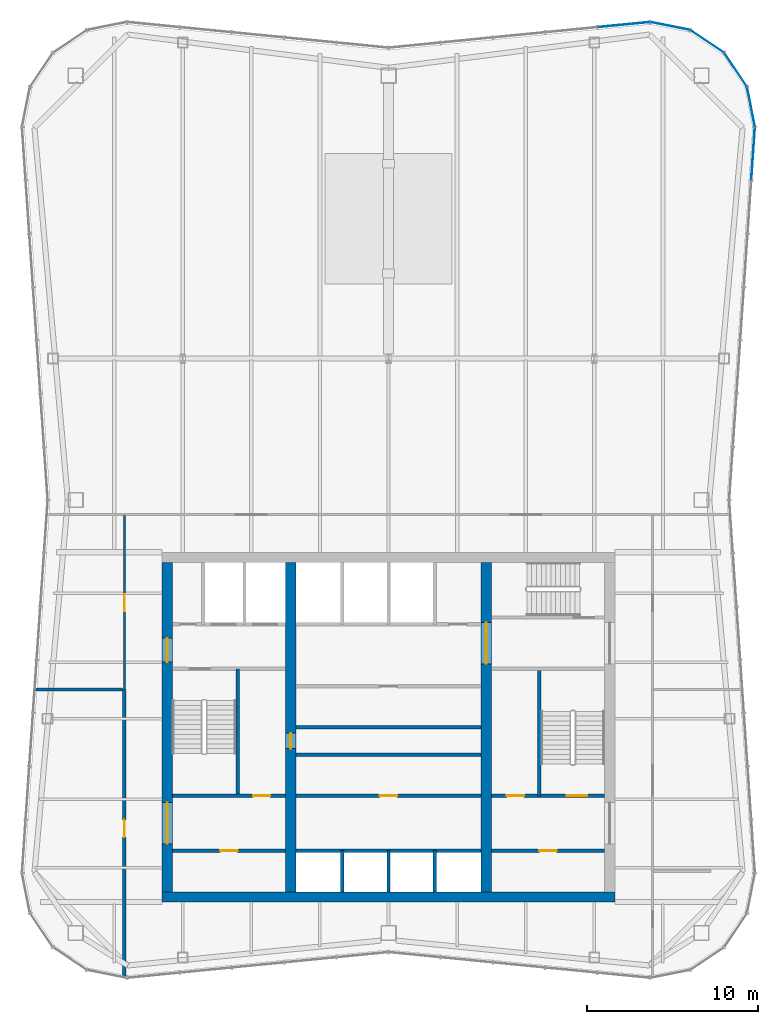
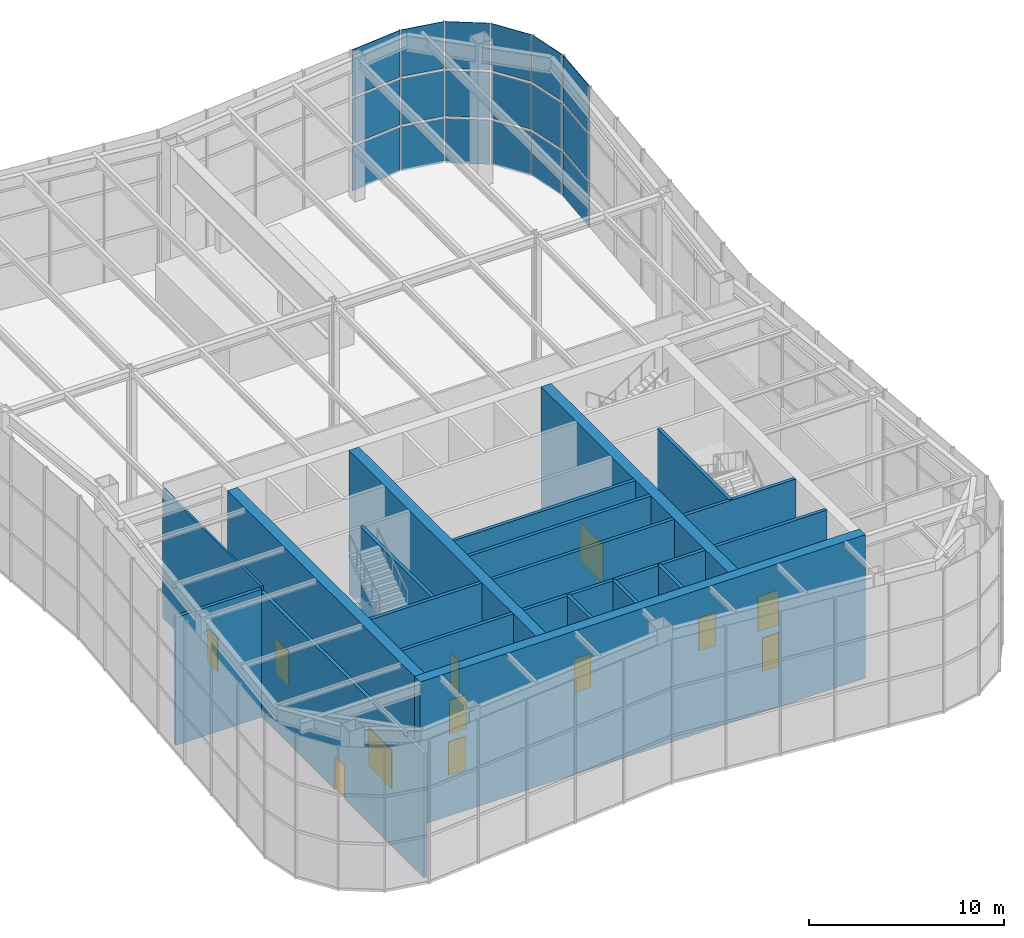
# One storey, part 11 of 16: 20 walls, 18 plates, 12 doors, 12 openings, 3 elements without a shape of their own.
"""IFC4 building model written with IfcOpenShell, lengths in metres."""

from ifc_helpers import new_model, si_unit, direction, frame, frame_2d, origin, origin_2d, place, context, subcontext, project, spatial, rectangle, extrude, material, layer, layer_set, type_object, element, fill, aggregate, save


model = new_model("IFC4")

# Units and contexts
model_context = context("Model", 3, precision=1e-05, world=origin(), true_north=direction((0.0, 1.0)))
body_context = subcontext(model_context, "Body", "Model", "MODEL_VIEW")
ifc_project = project(units=[si_unit("LENGTHUNIT", "METRE"), si_unit("AREAUNIT", "SQUARE_METRE"), si_unit("VOLUMEUNIT", "CUBIC_METRE"), si_unit("PLANEANGLEUNIT", "RADIAN"), si_unit("MASSUNIT", "GRAM", prefix="KILO")], contexts=[model_context])

# Site, building, storey
site_placement = place(None, origin())
site = spatial("IfcSite", under=ifc_project, at=site_placement, CompositionType="ELEMENT")
building_placement = place(site_placement, origin())
building = spatial("IfcBuilding", under=site, at=building_placement, Name="Verdant Reach Tower", CompositionType="ELEMENT")
storey_placement = place(building_placement, frame((0.0, 0.0, 340.5)))
storey = spatial("IfcBuildingStorey", under=building, at=storey_placement, Name="L78 Damper", CompositionType="ELEMENT", Elevation=340.5)

# Curtain wall, plates
ifc_material_1 = material(Name="Anodised aluminium", Category="aluminium")
curtain_wall_type = type_object("IfcCurtainWallType", Name="EN-CW SYSTEM CROWN DAMPER", PredefinedType="NOTDEFINED", material=ifc_material_1)
curtain_wall_1_placement = place(storey_placement, origin())
curtain_wall_1 = element("IfcCurtainWall", 1, at=curtain_wall_1_placement, inside=storey, type_object=curtain_wall_type, Name="Curtain wall east, L78", PredefinedType="NOTDEFINED")
ifc_material_2 = material(Name="Clear laminated glass", Category="glass")
ifc_layer_1 = layer(ifc_material_2, 0.035888671875)
ifc_layer_set_1 = layer_set([ifc_layer_1], Name="EN-PANEL CLEAR")
plate_type = type_object("IfcPlateType", Name="EN-PANEL CLEAR", PredefinedType="CURTAIN_PANEL", material=ifc_layer_set_1)
plate_1_placement = place(storey_placement, frame((21.261474609375, 61.446044921875, -0.199951171875), z_axis=(0.0, 0.0, 1.0), x_axis=(0.068469163133, 0.997653233193, 0.0)))
plate_1 = element("IfcPlate", 2, at=plate_1_placement, type_object=plate_type, Name="Glass panel east face part 2 7.1, L78", PredefinedType="CURTAIN_PANEL", context=body_context, shape_type="SweptSolid", body=[
    extrude(rectangle(XDim=3.05419921875, YDim=0.035888671875, at=origin_2d()), origin(), (0.0, 0.0, 1.0), 2.77490234375),
])
plate_2_placement = place(storey_placement, frame((21.261474609375, 61.446044921875, 2.724853515625), z_axis=(0.0, 0.0, 1.0), x_axis=(0.068469163133, 0.997653233193, 0.0)))
plate_2 = element("IfcPlate", 3, at=plate_2_placement, type_object=plate_type, Name="Glass panel east face part 2 7.2, L78", PredefinedType="CURTAIN_PANEL", context=body_context, shape_type="SweptSolid", body=[
    extrude(rectangle(XDim=3.05419921875, YDim=0.035888671875, at=origin_2d()), origin(), (0.0, 0.0, 1.0), 2.85009765625),
])
plate_3_placement = place(storey_placement, frame((21.261474609375, 61.446044921875, 5.72509765625), z_axis=(0.0, 0.0, 1.0), x_axis=(0.068469163133, 0.997653233193, 0.0)))
plate_3 = element("IfcPlate", 4, at=plate_3_placement, type_object=plate_type, Name="Glass panel east face part 2 7.3, L78", PredefinedType="CURTAIN_PANEL", context=body_context, shape_type="SweptSolid", body=[
    extrude(rectangle(XDim=3.05419921875, YDim=0.035888671875, at=origin_2d()), origin(), (0.0, 0.0, 1.0), 2.925048828125),
])
aggregate(curtain_wall_1, [plate_1, plate_2, plate_3])

curtain_wall_2_placement = place(storey_placement, origin())
curtain_wall_2 = element("IfcCurtainWall", 5, at=curtain_wall_2_placement, inside=storey, type_object=curtain_wall_type, Name="Curtain wall north-east corner, L78", PredefinedType="NOTDEFINED")
plate_4_placement = place(storey_placement, frame((21.135986328125, 64.174560546875, -0.199951171875), z_axis=(0.0, 0.0, 1.0), x_axis=(-0.195592962334, 0.980685165119, 0.0)))
plate_4 = element("IfcPlate", 6, at=plate_4_placement, type_object=plate_type, Name="Glass panel north-east corner 1.1, L78", PredefinedType="CURTAIN_PANEL", context=body_context, shape_type="SweptSolid", body=[
    extrude(rectangle(XDim=2.303955078125, YDim=0.035888671875, at=origin_2d()), origin(), (0.0, 0.0, 1.0), 2.77490234375),
])
plate_5_placement = place(storey_placement, frame((21.135986328125, 64.174560546875, 2.724853515625), z_axis=(0.0, 0.0, 1.0), x_axis=(-0.195592962334, 0.980685165119, 0.0)))
plate_5 = element("IfcPlate", 7, at=plate_5_placement, type_object=plate_type, Name="Glass panel north-east corner 1.2, L78", PredefinedType="CURTAIN_PANEL", context=body_context, shape_type="SweptSolid", body=[
    extrude(rectangle(XDim=2.303955078125, YDim=0.035888671875, at=origin_2d()), origin(), (0.0, 0.0, 1.0), 2.85009765625),
])
plate_6_placement = place(storey_placement, frame((21.135986328125, 64.174560546875, 5.72509765625), z_axis=(0.0, 0.0, 1.0), x_axis=(-0.195592962334, 0.980685165119, 0.0)))
plate_6 = element("IfcPlate", 8, at=plate_6_placement, type_object=plate_type, Name="Glass panel north-east corner 1.3, L78", PredefinedType="CURTAIN_PANEL", context=body_context, shape_type="SweptSolid", body=[
    extrude(rectangle(XDim=2.303955078125, YDim=0.035888671875, at=origin_2d()), origin(), (0.0, 0.0, 1.0), 2.925048828125),
])
plate_7_placement = place(storey_placement, frame((20.239990234375, 66.334228515625, -0.199951171875), z_axis=(0.0, 0.0, 1.0), x_axis=(-0.555596466265, 0.83145208321, 0.0)))
plate_7 = element("IfcPlate", 9, at=plate_7_placement, type_object=plate_type, Name="Glass panel north-east corner 2.1, L78", PredefinedType="CURTAIN_PANEL", context=body_context, shape_type="SweptSolid", body=[
    extrude(rectangle(XDim=2.3115234375, YDim=0.035888671875, at=origin_2d()), origin(), (0.0, 0.0, 1.0), 2.77490234375),
])
plate_8_placement = place(storey_placement, frame((20.239990234375, 66.334228515625, 2.724853515625), z_axis=(0.0, 0.0, 1.0), x_axis=(-0.555596466265, 0.83145208321, 0.0)))
plate_8 = element("IfcPlate", 10, at=plate_8_placement, type_object=plate_type, Name="Glass panel north-east corner 2.2, L78", PredefinedType="CURTAIN_PANEL", context=body_context, shape_type="SweptSolid", body=[
    extrude(rectangle(XDim=2.3115234375, YDim=0.035888671875, at=origin_2d()), origin(), (0.0, 0.0, 1.0), 2.85009765625),
])
plate_9_placement = place(storey_placement, frame((20.239990234375, 66.334228515625, 5.72509765625), z_axis=(0.0, 0.0, 1.0), x_axis=(-0.555596466265, 0.83145208321, 0.0)))
plate_9 = element("IfcPlate", 11, at=plate_9_placement, type_object=plate_type, Name="Glass panel north-east corner 2.3, L78", PredefinedType="CURTAIN_PANEL", context=body_context, shape_type="SweptSolid", body=[
    extrude(rectangle(XDim=2.3115234375, YDim=0.035888671875, at=origin_2d()), origin(), (0.0, 0.0, 1.0), 2.925048828125),
])
plate_10_placement = place(storey_placement, frame((18.584228515625, 67.989990234375, -0.199951171875), z_axis=(0.0, 0.0, 1.0), x_axis=(-0.83145208321, 0.555596466265, 0.0)))
plate_10 = element("IfcPlate", 12, at=plate_10_placement, type_object=plate_type, Name="Glass panel north-east corner 3.1, L78", PredefinedType="CURTAIN_PANEL", context=body_context, shape_type="SweptSolid", body=[
    extrude(rectangle(XDim=2.3115234375, YDim=0.035888671875, at=origin_2d()), origin(), (0.0, 0.0, 1.0), 2.77490234375),
])
plate_11_placement = place(storey_placement, frame((18.584228515625, 67.989990234375, 2.724853515625), z_axis=(0.0, 0.0, 1.0), x_axis=(-0.83145208321, 0.555596466265, 0.0)))
plate_11 = element("IfcPlate", 13, at=plate_11_placement, type_object=plate_type, Name="Glass panel north-east corner 3.2, L78", PredefinedType="CURTAIN_PANEL", context=body_context, shape_type="SweptSolid", body=[
    extrude(rectangle(XDim=2.3115234375, YDim=0.035888671875, at=origin_2d()), origin(), (0.0, 0.0, 1.0), 2.85009765625),
])
plate_12_placement = place(storey_placement, frame((18.584228515625, 67.989990234375, 5.72509765625), z_axis=(0.0, 0.0, 1.0), x_axis=(-0.83145208321, 0.555596466265, 0.0)))
plate_12 = element("IfcPlate", 14, at=plate_12_placement, type_object=plate_type, Name="Glass panel north-east corner 3.3, L78", PredefinedType="CURTAIN_PANEL", context=body_context, shape_type="SweptSolid", body=[
    extrude(rectangle(XDim=2.3115234375, YDim=0.035888671875, at=origin_2d()), origin(), (0.0, 0.0, 1.0), 2.925048828125),
])
plate_13_placement = place(storey_placement, frame((16.423828125, 68.885986328125, -0.199951171875), z_axis=(0.0, 0.0, 1.0), x_axis=(-0.980705120874, 0.195492879387, 0.0)))
plate_13 = element("IfcPlate", 15, at=plate_13_placement, type_object=plate_type, Name="Glass panel north-east corner 4.1, L78", PredefinedType="CURTAIN_PANEL", context=body_context, shape_type="SweptSolid", body=[
    extrude(rectangle(XDim=2.3056640625, YDim=0.035888671875, at=origin_2d()), origin(), (0.0, 0.0, 1.0), 2.77490234375),
])
plate_14_placement = place(storey_placement, frame((16.423828125, 68.885986328125, 2.724853515625), z_axis=(0.0, 0.0, 1.0), x_axis=(-0.980705120874, 0.195492879387, 0.0)))
plate_14 = element("IfcPlate", 16, at=plate_14_placement, type_object=plate_type, Name="Glass panel north-east corner 4.2, L78", PredefinedType="CURTAIN_PANEL", context=body_context, shape_type="SweptSolid", body=[
    extrude(rectangle(XDim=2.3056640625, YDim=0.035888671875, at=origin_2d()), origin(), (0.0, 0.0, 1.0), 2.85009765625),
])
plate_15_placement = place(storey_placement, frame((16.423828125, 68.885986328125, 5.72509765625), z_axis=(0.0, 0.0, 1.0), x_axis=(-0.980705120874, 0.195492879387, 0.0)))
plate_15 = element("IfcPlate", 17, at=plate_15_placement, type_object=plate_type, Name="Glass panel north-east corner 4.3, L78", PredefinedType="CURTAIN_PANEL", context=body_context, shape_type="SweptSolid", body=[
    extrude(rectangle(XDim=2.3056640625, YDim=0.035888671875, at=origin_2d()), origin(), (0.0, 0.0, 1.0), 2.925048828125),
])
aggregate(curtain_wall_2, [plate_4, plate_5, plate_6, plate_7, plate_8, plate_9, plate_10, plate_11, plate_12, plate_13, plate_14, plate_15])

curtain_wall_3_placement = place(storey_placement, origin())
curtain_wall_3 = element("IfcCurtainWall", 18, at=curtain_wall_3_placement, inside=storey, type_object=curtain_wall_type, Name="Curtain wall north, L78", PredefinedType="NOTDEFINED")
plate_16_placement = place(storey_placement, frame((13.72216796875, 68.96875, -0.199951171875), z_axis=(0.0, 0.0, 1.0), x_axis=(-0.995238191716, -0.097472774402, 0.0)))
plate_16 = element("IfcPlate", 19, at=plate_16_placement, type_object=plate_type, Name="Glass panel north face part 1 1.1, L78", PredefinedType="CURTAIN_PANEL", context=body_context, shape_type="SweptSolid", body=[
    extrude(rectangle(XDim=3.006103515625, YDim=0.035888671875, at=origin_2d()), origin(), (0.0, 0.0, 1.0), 2.77490234375),
])
plate_17_placement = place(storey_placement, frame((13.72216796875, 68.96875, 2.724853515625), z_axis=(0.0, 0.0, 1.0), x_axis=(-0.995238191716, -0.097472774402, 0.0)))
plate_17 = element("IfcPlate", 20, at=plate_17_placement, type_object=plate_type, Name="Glass panel north face part 1 1.2, L78", PredefinedType="CURTAIN_PANEL", context=body_context, shape_type="SweptSolid", body=[
    extrude(rectangle(XDim=3.006103515625, YDim=0.035888671875, at=origin_2d()), origin(), (0.0, 0.0, 1.0), 2.85009765625),
])
plate_18_placement = place(storey_placement, frame((13.72216796875, 68.96875, 5.72509765625), z_axis=(0.0, 0.0, 1.0), x_axis=(-0.995238191716, -0.097472774402, 0.0)))
plate_18 = element("IfcPlate", 21, at=plate_18_placement, type_object=plate_type, Name="Glass panel north face part 1 1.3, L78", PredefinedType="CURTAIN_PANEL", context=body_context, shape_type="SweptSolid", body=[
    extrude(rectangle(XDim=3.006103515625, YDim=0.035888671875, at=origin_2d()), origin(), (0.0, 0.0, 1.0), 2.925048828125),
])
aggregate(curtain_wall_3, [plate_16, plate_17, plate_18])

# Wall, opening, door
ifc_material_3 = material(Name="Gypsum board on steel studs", Category="steel")
ifc_layer_2 = layer(ifc_material_3, 0.199951171875)
ifc_layer_set_2 = layer_set([ifc_layer_2], Name="CO-WALL-ROOM")
wall_type_1 = type_object("IfcWallType", Name="CO-WALL-ROOM", PredefinedType="PARTITIONING", material=ifc_layer_set_2)
wall_1_placement = place(storey_placement, frame((-12.60009765625, 20.800048828125, 0.0), z_axis=(0.0, 0.0, 1.0), x_axis=(1.0, 0.0, 0.0)))
wall_1 = element("IfcWall", 22, at=wall_1_placement, inside=storey, type_object=wall_type_1, Name="Core partition, L78 Damper", PredefinedType="PARTITIONING", context=body_context, shape_type="SweptSolid", body=[
    extrude(rectangle(XDim=6.60009765625, YDim=0.199951171875, at=frame_2d((3.300048828125, 0.0))), origin(), (0.0, 0.0, 1.0), 8.85009765625),
])
opening_1_placement = place(wall_1_placement, frame((2.800048828125, 0.0, 0.0)))
opening_1 = element("IfcOpeningElement", 23, at=opening_1_placement, cuts=wall_1, Name="Opening CD", PredefinedType="OPENING", context=body_context, shape_type="SweptSolid", body=[
    extrude(rectangle(XDim=1.0, YDim=2.10009765625, at=frame_2d((0.5, 1.050048828125))), frame((0.0, 0.10986328125, 0.0), z_axis=(0.0, -1.0, 0.0), x_axis=(1.0, 0.0, 0.0)), (0.0, 0.0, 1.0), 0.219970703125),
])
ifc_material_4 = material(Name="Timber", Category="wood")
door_type_1 = type_object("IfcDoorType", Name="CO-DOOR-ROOM", OperationType="NOTDEFINED", PredefinedType="DOOR", material=ifc_material_4)
door_1_placement = place(opening_1_placement, origin())
door_1 = element("IfcDoor", 24, at=door_1_placement, inside=storey, type_object=door_type_1, Name="Core room door, L78 Damper", OperationType="SINGLE_SWING_RIGHT", OverallHeight=2.10009765625, OverallWidth=1.0, PredefinedType="DOOR", context=body_context, shape_type="SweptSolid", body=[
    extrude(rectangle(XDim=1.0, YDim=2.10009765625, at=frame_2d((0.5, 1.050048828125))), frame((0.0, 0.02490234375, 0.0), z_axis=(0.0, -1.0, 0.0), x_axis=(1.0, 0.0, 0.0)), (0.0, 0.0, 1.0), 0.050048828125),
])
fill(opening_1, door_1)

wall_2_placement = place(storey_placement, frame((6.0, 20.800048828125, 0.0), z_axis=(0.0, 0.0, 1.0), x_axis=(1.0, 0.0, 0.0)))
wall_2 = element("IfcWall", 25, at=wall_2_placement, inside=storey, type_object=wall_type_1, Name="Core partition, L78 Damper", PredefinedType="PARTITIONING", context=body_context, shape_type="SweptSolid", body=[
    extrude(rectangle(XDim=6.60009765625, YDim=0.199951171875, at=frame_2d((3.300048828125, 0.0))), origin(), (0.0, 0.0, 1.0), 8.85009765625),
])
opening_2_placement = place(wall_2_placement, frame((2.800048828125, 0.0, 0.0)))
opening_2 = element("IfcOpeningElement", 26, at=opening_2_placement, cuts=wall_2, Name="Opening CD", PredefinedType="OPENING", context=body_context, shape_type="SweptSolid", body=[
    extrude(rectangle(XDim=1.0, YDim=2.10009765625, at=frame_2d((0.5, 1.050048828125))), frame((0.0, 0.10986328125, 0.0), z_axis=(0.0, -1.0, 0.0), x_axis=(1.0, 0.0, 0.0)), (0.0, 0.0, 1.0), 0.219970703125),
])
door_2_placement = place(opening_2_placement, origin())
door_2 = element("IfcDoor", 27, at=door_2_placement, inside=storey, type_object=door_type_1, Name="Core room door, L78 Damper", OperationType="SINGLE_SWING_LEFT", OverallHeight=2.10009765625, OverallWidth=1.0, PredefinedType="DOOR", context=body_context, shape_type="SweptSolid", body=[
    extrude(rectangle(XDim=1.0, YDim=2.10009765625, at=frame_2d((0.5, 1.050048828125))), frame((0.0, 0.02490234375, 0.0), z_axis=(0.0, -1.0, 0.0), x_axis=(1.0, 0.0, 0.0)), (0.0, 0.0, 1.0), 0.050048828125),
])
fill(opening_2, door_2)

wall_3_placement = place(storey_placement, frame((-5.39990234375, 24.0, 0.0), z_axis=(0.0, 0.0, 1.0), x_axis=(1.0, 0.0, 0.0)))
wall_3 = element("IfcWall", 28, at=wall_3_placement, inside=storey, type_object=wall_type_1, Name="Core partition, L78 Damper", PredefinedType="PARTITIONING", context=body_context, shape_type="SweptSolid", body=[
    extrude(rectangle(XDim=10.7998046875, YDim=0.199951171875, at=frame_2d((5.39990234375, 0.0))), origin(), (0.0, 0.0, 1.0), 8.85009765625),
])
opening_3_placement = place(wall_3_placement, frame((4.89990234375, 0.0, 0.0)))
opening_3 = element("IfcOpeningElement", 29, at=opening_3_placement, cuts=wall_3, Name="Opening CD", PredefinedType="OPENING", context=body_context, shape_type="SweptSolid", body=[
    extrude(rectangle(XDim=1.0, YDim=2.10009765625, at=frame_2d((0.5, 1.050048828125))), frame((0.0, 0.10986328125, 0.0), z_axis=(0.0, -1.0, 0.0), x_axis=(1.0, 0.0, 0.0)), (0.0, 0.0, 1.0), 0.219970703125),
])
door_3_placement = place(opening_3_placement, origin())
door_3 = element("IfcDoor", 30, at=door_3_placement, inside=storey, type_object=door_type_1, Name="Core room door, L78 Damper", OperationType="SINGLE_SWING_LEFT", OverallHeight=2.10009765625, OverallWidth=1.0, PredefinedType="DOOR", context=body_context, shape_type="SweptSolid", body=[
    extrude(rectangle(XDim=1.0, YDim=2.10009765625, at=frame_2d((0.5, 1.050048828125))), frame((0.0, 0.02490234375, 0.0), z_axis=(0.0, -1.0, 0.0), x_axis=(1.0, 0.0, 0.0)), (0.0, 0.0, 1.0), 0.050048828125),
])
fill(opening_3, door_3)

# Walls
for number, where, z_axis, x_axis, name in (
    (31, (-5.39990234375, 26.39990234375, 0.0), (0.0, 0.0, 1.0), (1.0, 0.0, 0.0), "Core partition, L78 Damper"),
    (32, (-5.39990234375, 28.0, 0.0), (0.0, 0.0, 1.0), (1.0, 0.0, 0.0), "Core partition, L78 Damper"),
):
    element("IfcWall", number, at=place(storey_placement, frame(where, z_axis=z_axis, x_axis=x_axis)), inside=storey, type_object=wall_type_1, Name=name, PredefinedType="PARTITIONING", context=body_context, shape_type="SweptSolid", body=[
        extrude(rectangle(XDim=10.7998046875, YDim=0.199951171875, at=frame_2d((5.39990234375, 0.0))), origin(), (0.0, 0.0, 1.0), 8.85009765625),
    ])
ifc_material_5 = material(Name="Concrete C40/50", Category="concrete")
ifc_layer_3 = layer(ifc_material_5, 0.199951171875)
ifc_layer_set_3 = layer_set([ifc_layer_3], Name="CO-WALL-SHAFT")
wall_type_2 = type_object("IfcWallType", Name="CO-WALL-SHAFT", PredefinedType="PARTITIONING", material=ifc_layer_set_3)
wall_4_placement = place(storey_placement, frame((-5.39990234375, 20.800048828125, 0.0), z_axis=(0.0, 0.0, 1.0), x_axis=(1.0, 0.0, 0.0)))
element("IfcWall", 33, at=wall_4_placement, inside=storey, type_object=wall_type_2, Name="Lift shaft wall, L78 Damper", PredefinedType="PARTITIONING", context=body_context, shape_type="SweptSolid", body=[
    extrude(rectangle(XDim=10.7998046875, YDim=0.199951171875, at=frame_2d((5.39990234375, 0.0))), origin(), (0.0, 0.0, 1.0), 8.85009765625),
])
for number, where, z_axis, x_axis, name in (
    (34, (-2.699951171875, 18.39990234375, 0.0), (0.0, 0.0, 1.0), (0.0, 1.0, 0.0), "Lift shaft wall, L78 Damper"),
    (35, (0.0, 18.39990234375, 0.0), (0.0, 0.0, 1.0), (0.0, 1.0, 0.0), "Lift shaft wall, L78 Damper"),
    (36, (2.699951171875, 18.39990234375, 0.0), (0.0, 0.0, 1.0), (0.0, 1.0, 0.0), "Lift shaft wall, L78 Damper"),
):
    element("IfcWall", number, at=place(storey_placement, frame(where, z_axis=z_axis, x_axis=x_axis)), inside=storey, type_object=wall_type_2, Name=name, PredefinedType="PARTITIONING", context=body_context, shape_type="SweptSolid", body=[
        extrude(rectangle(XDim=2.400146484375, YDim=0.199951171875, at=frame_2d((1.2001953125, 0.0))), origin(), (0.0, 0.0, 1.0), 8.85009765625),
    ])

# Wall, opening, door
ifc_layer_4 = layer(ifc_material_5, 0.199951171875)
ifc_layer_set_4 = layer_set([ifc_layer_4], Name="CO-WALL-STAIR")
wall_type_3 = type_object("IfcWallType", Name="CO-WALL-STAIR", PredefinedType="PARTITIONING", material=ifc_layer_set_4)
wall_5_placement = place(storey_placement, frame((-12.60009765625, 24.0, 0.0), z_axis=(0.0, 0.0, 1.0), x_axis=(1.0, 0.0, 0.0)))
wall_5 = element("IfcWall", 37, at=wall_5_placement, inside=storey, type_object=wall_type_3, Name="Stair enclosure wall, L78 Damper", PredefinedType="PARTITIONING", context=body_context, shape_type="SweptSolid", body=[
    extrude(rectangle(XDim=6.60009765625, YDim=0.199951171875, at=frame_2d((3.300048828125, 0.0))), origin(), (0.0, 0.0, 1.0), 8.85009765625),
])
opening_4_placement = place(wall_5_placement, frame((4.699951171875, 0.0, 0.0)))
opening_4 = element("IfcOpeningElement", 38, at=opening_4_placement, cuts=wall_5, Name="Opening CD", PredefinedType="OPENING", context=body_context, shape_type="SweptSolid", body=[
    extrude(rectangle(XDim=1.0, YDim=2.10009765625, at=frame_2d((0.5, 1.050048828125))), frame((0.0, 0.10986328125, 0.0), z_axis=(0.0, -1.0, 0.0), x_axis=(1.0, 0.0, 0.0)), (0.0, 0.0, 1.0), 0.219970703125),
])
door_4_placement = place(opening_4_placement, origin())
door_4 = element("IfcDoor", 39, at=door_4_placement, inside=storey, type_object=door_type_1, Name="Core room door, L78 Damper", OperationType="SINGLE_SWING_LEFT", OverallHeight=2.10009765625, OverallWidth=1.0, PredefinedType="DOOR", context=body_context, shape_type="SweptSolid", body=[
    extrude(rectangle(XDim=1.0, YDim=2.10009765625, at=frame_2d((0.5, 1.050048828125))), frame((0.0, 0.02490234375, 0.0), z_axis=(0.0, -1.0, 0.0), x_axis=(1.0, 0.0, 0.0)), (0.0, 0.0, 1.0), 0.050048828125),
])
fill(opening_4, door_4)

# Wall, openings, doors
wall_6_placement = place(storey_placement, frame((6.0, 24.0, 0.0), z_axis=(0.0, 0.0, 1.0), x_axis=(1.0, 0.0, 0.0)))
wall_6 = element("IfcWall", 40, at=wall_6_placement, inside=storey, type_object=wall_type_3, Name="Stair enclosure wall, L78 Damper", PredefinedType="PARTITIONING", context=body_context, shape_type="SweptSolid", body=[
    extrude(rectangle(XDim=6.60009765625, YDim=0.199951171875, at=frame_2d((3.300048828125, 0.0))), origin(), (0.0, 0.0, 1.0), 8.85009765625),
])
opening_5_placement = place(wall_6_placement, frame((0.89990234375, 0.0, 0.0)))
opening_5 = element("IfcOpeningElement", 41, at=opening_5_placement, cuts=wall_6, Name="Opening CD", PredefinedType="OPENING", context=body_context, shape_type="SweptSolid", body=[
    extrude(rectangle(XDim=1.0, YDim=2.10009765625, at=frame_2d((0.5, 1.050048828125))), frame((0.0, 0.10986328125, 0.0), z_axis=(0.0, -1.0, 0.0), x_axis=(1.0, 0.0, 0.0)), (0.0, 0.0, 1.0), 0.219970703125),
])
opening_6_placement = place(wall_6_placement, frame((4.39990234375, 0.0, 0.0)))
opening_6 = element("IfcOpeningElement", 42, at=opening_6_placement, cuts=wall_6, Name="Opening SD", PredefinedType="OPENING", context=body_context, shape_type="SweptSolid", body=[
    extrude(rectangle(XDim=1.199951171875, YDim=2.199951171875, at=frame_2d((0.60009765625, 1.10009765625))), frame((0.0, 0.10986328125, 0.0), z_axis=(0.0, -1.0, 0.0), x_axis=(1.0, 0.0, 0.0)), (0.0, 0.0, 1.0), 0.219970703125),
])
door_5_placement = place(opening_5_placement, origin())
door_5 = element("IfcDoor", 43, at=door_5_placement, inside=storey, type_object=door_type_1, Name="Core room door, L78 Damper", OperationType="SINGLE_SWING_RIGHT", OverallHeight=2.10009765625, OverallWidth=1.0, PredefinedType="DOOR", context=body_context, shape_type="SweptSolid", body=[
    extrude(rectangle(XDim=1.0, YDim=2.10009765625, at=frame_2d((0.5, 1.050048828125))), frame((0.0, 0.02490234375, 0.0), z_axis=(0.0, -1.0, 0.0), x_axis=(1.0, 0.0, 0.0)), (0.0, 0.0, 1.0), 0.050048828125),
])
fill(opening_5, door_5)
ifc_material_6 = material(Name="Steel", Category="steel")
door_type_2 = type_object("IfcDoorType", Name="CO-DOOR-STAIR", OperationType="NOTDEFINED", PredefinedType="DOOR", material=ifc_material_6)
door_6_placement = place(opening_6_placement, origin())
door_6 = element("IfcDoor", 44, at=door_6_placement, inside=storey, type_object=door_type_2, Name="Stair door, L78 Damper", OperationType="SINGLE_SWING_RIGHT", OverallHeight=2.199951171875, OverallWidth=1.199951171875, PredefinedType="DOOR", context=body_context, shape_type="SweptSolid", body=[
    extrude(rectangle(XDim=1.199951171875, YDim=2.199951171875, at=frame_2d((0.60009765625, 1.10009765625))), frame((0.0, 0.02490234375, 0.0), z_axis=(0.0, -1.0, 0.0), x_axis=(1.0, 0.0, 0.0)), (0.0, 0.0, 1.0), 0.050048828125),
])
fill(opening_6, door_6)

# Walls
for number, where, z_axis, x_axis, name in (
    (45, (-8.800048828125, 24.0, 0.0), (0.0, 0.0, 1.0), (0.0, 1.0, 0.0), "Stair enclosure wall, L78 Damper"),
    (46, (8.800048828125, 24.0, 0.0), (0.0, 0.0, 1.0), (0.0, 1.0, 0.0), "Stair enclosure wall, L78 Damper"),
):
    element("IfcWall", number, at=place(storey_placement, frame(where, z_axis=z_axis, x_axis=x_axis)), inside=storey, type_object=wall_type_3, Name=name, PredefinedType="PARTITIONING", context=body_context, shape_type="SweptSolid", body=[
        extrude(rectangle(XDim=7.39990234375, YDim=0.199951171875, at=frame_2d((3.699951171875, 0.0))), origin(), (0.0, 0.0, 1.0), 8.85009765625),
    ])
ifc_material_7 = material(Name="Concrete C70/85", Category="concrete")
ifc_layer_5 = layer(ifc_material_7, 0.60009765625)
ifc_layer_set_5 = layer_set([ifc_layer_5], Name="ST-CORE-WALL-600")
wall_type_4 = type_object("IfcWallType", Name="ST-CORE-WALL-600", PredefinedType="SHEAR", material=ifc_layer_set_5)
wall_7_placement = place(storey_placement, frame((-13.199951171875, 18.10009765625, -0.14990234375), z_axis=(0.0, 0.0, 1.0), x_axis=(1.0, 0.0, 0.0)))
element("IfcWall", 47, at=wall_7_placement, inside=storey, type_object=wall_type_4, Name="Core wall S, L78 Damper", PredefinedType="SHEAR", context=body_context, shape_type="SweptSolid", body=[
    extrude(rectangle(XDim=26.39990234375, YDim=0.60009765625, at=frame_2d((13.199951171875, 0.0))), origin(), (0.0, 0.0, 1.0), 9.0),
])

# Wall, openings, doors
wall_8_placement = place(storey_placement, frame((-12.89990234375, 18.39990234375, -0.14990234375), z_axis=(0.0, 0.0, 1.0), x_axis=(0.0, 1.0, 0.0)))
wall_8 = element("IfcWall", 48, at=wall_8_placement, inside=storey, type_object=wall_type_4, Name="Core wall W, L78 Damper", PredefinedType="SHEAR", context=body_context, shape_type="SweptSolid", body=[
    extrude(rectangle(XDim=19.2001953125, YDim=0.60009765625, at=frame_2d((9.60009765625, 0.0))), origin(), (0.0, 0.0, 1.0), 9.0),
])
opening_7_placement = place(wall_8_placement, frame((2.800048828125, 0.0, 0.14990234375)))
opening_7 = element("IfcOpeningElement", 49, at=opening_7_placement, cuts=wall_8, Name="Opening LB", PredefinedType="OPENING", context=body_context, shape_type="SweptSolid", body=[
    extrude(rectangle(XDim=2.39990234375, YDim=2.39990234375, at=frame_2d((1.199951171875, 1.199951171875))), frame((0.0, 0.31005859375, 0.0), z_axis=(0.0, -1.0, 0.0), x_axis=(1.0, 0.0, 0.0)), (0.0, 0.0, 1.0), 0.6201171875),
])
opening_8_placement = place(wall_8_placement, frame((13.39990234375, 0.0, 0.14990234375)))
opening_8 = element("IfcOpeningElement", 50, at=opening_8_placement, cuts=wall_8, Name="Opening FL", PredefinedType="OPENING", context=body_context, shape_type="SweptSolid", body=[
    extrude(rectangle(XDim=1.39990234375, YDim=2.199951171875, at=frame_2d((0.699951171875, 1.10009765625))), frame((0.0, 0.31005859375, 0.0), z_axis=(0.0, -1.0, 0.0), x_axis=(1.0, 0.0, 0.0)), (0.0, 0.0, 1.0), 0.6201171875),
])
door_type_3 = type_object("IfcDoorType", Name="CO-DOOR-FFL", OperationType="NOTDEFINED", PredefinedType="DOOR", material=ifc_material_6)
door_7_placement = place(opening_8_placement, origin())
door_7 = element("IfcDoor", 51, at=door_7_placement, inside=storey, type_object=door_type_3, Name="Core entrance door, L78 Damper", OperationType="SINGLE_SWING_LEFT", OverallHeight=2.199951171875, OverallWidth=1.39990234375, PredefinedType="DOOR", context=body_context, shape_type="SweptSolid", body=[
    extrude(rectangle(XDim=1.39990234375, YDim=2.199951171875, at=frame_2d((0.699951171875, 1.10009765625))), frame((0.0, 0.02490234375, 0.0), z_axis=(0.0, -1.0, 0.0), x_axis=(1.0, 0.0, 0.0)), (0.0, 0.0, 1.0), 0.050048828125),
])
fill(opening_8, door_7)
ifc_material_8 = material(Name="Glass and steel", Category="steel")
door_type_4 = type_object("IfcDoorType", Name="CO-DOOR-LOBBY", OperationType="DOUBLE_DOOR_SINGLE_SWING", PredefinedType="DOOR", material=ifc_material_8)
door_8_placement = place(opening_7_placement, origin())
door_8 = element("IfcDoor", 52, at=door_8_placement, inside=storey, type_object=door_type_4, Name="Core entrance door, L78 Damper", OperationType="DOUBLE_DOOR_SINGLE_SWING", OverallHeight=2.39990234375, OverallWidth=2.39990234375, PredefinedType="DOOR", context=body_context, shape_type="SweptSolid", body=[
    extrude(rectangle(XDim=2.39990234375, YDim=2.39990234375, at=frame_2d((1.199951171875, 1.199951171875))), frame((0.0, 0.02490234375, 0.0), z_axis=(0.0, -1.0, 0.0), x_axis=(1.0, 0.0, 0.0)), (0.0, 0.0, 1.0), 0.050048828125),
])
fill(opening_7, door_8)

# Wall, opening, door
wall_9_placement = place(storey_placement, frame((-5.699951171875, 18.39990234375, -0.14990234375), z_axis=(0.0, 0.0, 1.0), x_axis=(0.0, 1.0, 0.0)))
wall_9 = element("IfcWall", 53, at=wall_9_placement, inside=storey, type_object=wall_type_4, Name="Core wall XW, L78 Damper", PredefinedType="SHEAR", context=body_context, shape_type="SweptSolid", body=[
    extrude(rectangle(XDim=19.2001953125, YDim=0.60009765625, at=frame_2d((9.60009765625, 0.0))), origin(), (0.0, 0.0, 1.0), 9.0),
])
opening_9_placement = place(wall_9_placement, frame((8.35009765625, 0.0, 0.14990234375)))
opening_9 = element("IfcOpeningElement", 54, at=opening_9_placement, cuts=wall_9, Name="Opening RD", PredefinedType="OPENING", context=body_context, shape_type="SweptSolid", body=[
    extrude(rectangle(XDim=0.89990234375, YDim=2.10009765625, at=frame_2d((0.449951171875, 1.050048828125))), frame((0.0, 0.31005859375, 0.0), z_axis=(0.0, -1.0, 0.0), x_axis=(1.0, 0.0, 0.0)), (0.0, 0.0, 1.0), 0.6201171875),
])
door_type_5 = type_object("IfcDoorType", Name="CO-DOOR-RISER", OperationType="NOTDEFINED", PredefinedType="DOOR", material=ifc_material_6)
door_9_placement = place(opening_9_placement, origin())
door_9 = element("IfcDoor", 55, at=door_9_placement, inside=storey, type_object=door_type_5, Name="Riser door, L78 Damper", OperationType="SINGLE_SWING_LEFT", OverallHeight=2.10009765625, OverallWidth=0.89990234375, PredefinedType="DOOR", context=body_context, shape_type="SweptSolid", body=[
    extrude(rectangle(XDim=0.89990234375, YDim=2.10009765625, at=frame_2d((0.449951171875, 1.050048828125))), frame((0.0, 0.02490234375, 0.0), z_axis=(0.0, -1.0, 0.0), x_axis=(1.0, 0.0, 0.0)), (0.0, 0.0, 1.0), 0.050048828125),
])
fill(opening_9, door_9)

wall_10_placement = place(storey_placement, frame((5.699951171875, 18.39990234375, -0.14990234375), z_axis=(0.0, 0.0, 1.0), x_axis=(0.0, 1.0, 0.0)))
wall_10 = element("IfcWall", 56, at=wall_10_placement, inside=storey, type_object=wall_type_4, Name="Core wall XE, L78 Damper", PredefinedType="SHEAR", context=body_context, shape_type="SweptSolid", body=[
    extrude(rectangle(XDim=19.2001953125, YDim=0.60009765625, at=frame_2d((9.60009765625, 0.0))), origin(), (0.0, 0.0, 1.0), 9.0),
])
opening_10_placement = place(wall_10_placement, frame((13.300048828125, 0.0, 0.14990234375)))
opening_10 = element("IfcOpeningElement", 57, at=opening_10_placement, cuts=wall_10, Name="Opening LB", PredefinedType="OPENING", context=body_context, shape_type="SweptSolid", body=[
    extrude(rectangle(XDim=2.39990234375, YDim=2.39990234375, at=frame_2d((1.199951171875, 1.199951171875))), frame((0.0, 0.31005859375, 0.0), z_axis=(0.0, -1.0, 0.0), x_axis=(1.0, 0.0, 0.0)), (0.0, 0.0, 1.0), 0.6201171875),
])
door_10_placement = place(opening_10_placement, origin())
door_10 = element("IfcDoor", 58, at=door_10_placement, inside=storey, type_object=door_type_4, Name="Core entrance door, L78 Damper", OperationType="DOUBLE_DOOR_SINGLE_SWING", OverallHeight=2.39990234375, OverallWidth=2.39990234375, PredefinedType="DOOR", context=body_context, shape_type="SweptSolid", body=[
    extrude(rectangle(XDim=2.39990234375, YDim=2.39990234375, at=frame_2d((1.199951171875, 1.199951171875))), frame((0.0, 0.02490234375, 0.0), z_axis=(0.0, -1.0, 0.0), x_axis=(1.0, 0.0, 0.0)), (0.0, 0.0, 1.0), 0.050048828125),
])
fill(opening_10, door_10)

ifc_material_9 = material(Name="Gypsum board on steel studs, fire rated", Category="steel")
ifc_layer_6 = layer(ifc_material_9, 0.125)
ifc_layer_set_6 = layer_set([ifc_layer_6], Name="SV-W2 Plant wall 125 EI 60")
wall_type_5 = type_object("IfcWallType", Name="SV-W2 Plant wall 125 EI 60", PredefinedType="PARTITIONING", material=ifc_layer_set_6)
wall_11_placement = place(storey_placement, frame((-15.39990234375, 40.33740234375, 0.0), z_axis=(0.0, 0.0, 1.0), x_axis=(0.0, -1.0, 0.0)))
wall_11 = element("IfcWall", 59, at=wall_11_placement, inside=storey, type_object=wall_type_5, Name="Partition L78.03", PredefinedType="PARTITIONING", context=body_context, shape_type="SweptSolid", body=[
    extrude(rectangle(XDim=10.137451171875, YDim=0.125, at=frame_2d((5.06884765625, 0.0))), origin(), (0.0, 0.0, 1.0), 8.1201171875),
])
opening_11_placement = place(wall_11_placement, frame((4.56884765625, 0.0, 0.0)))
opening_11 = element("IfcOpeningElement", 60, at=opening_11_placement, cuts=wall_11, Name="Opening SD2", PredefinedType="OPENING", context=body_context, shape_type="SweptSolid", body=[
    extrude(rectangle(XDim=1.0, YDim=2.10009765625, at=frame_2d((0.5, 1.050048828125))), frame((0.0, 0.072509765625, 0.0), z_axis=(0.0, -1.0, 0.0), x_axis=(1.0, 0.0, 0.0)), (0.0, 0.0, 1.0), 0.14501953125),
])
ifc_material_10 = material(Name="Steel door leaf, fire rated", Category="steel")
door_type_6 = type_object("IfcDoorType", Name="SV-D2 Door 1000x2100 FD60", OperationType="NOTDEFINED", PredefinedType="DOOR", material=ifc_material_10)
door_11_placement = place(opening_11_placement, origin())
door_11 = element("IfcDoor", 61, at=door_11_placement, inside=storey, type_object=door_type_6, Name="Door L78-002", OperationType="SINGLE_SWING_RIGHT", OverallHeight=2.10009765625, OverallWidth=1.0, PredefinedType="DOOR", context=body_context, shape_type="SweptSolid", body=[
    extrude(rectangle(XDim=1.0, YDim=2.10009765625, at=frame_2d((0.5, 1.050048828125))), frame((0.0, 0.02490234375, 0.0), z_axis=(0.0, -1.0, 0.0), x_axis=(1.0, 0.0, 0.0)), (0.0, 0.0, 1.0), 0.050048828125),
])
fill(opening_11, door_11)

ifc_material_11 = material(Name="Calcium silicate board on steel studs, fire rated", Category="steel")
ifc_layer_7 = layer(ifc_material_11, 0.199951171875)
ifc_layer_set_7 = layer_set([ifc_layer_7], Name="SV-W3 Fire wall 200 EI 120")
wall_type_6 = type_object("IfcWallType", Name="SV-W3 Fire wall 200 EI 120", PredefinedType="PARTITIONING", material=ifc_layer_set_7)
wall_12_placement = place(storey_placement, frame((-15.39990234375, 30.199951171875, 0.0), z_axis=(0.0, 0.0, 1.0), x_axis=(0.0, -1.0, 0.0)))
wall_12 = element("IfcWall", 62, at=wall_12_placement, inside=storey, type_object=wall_type_6, Name="Partition L78.02", PredefinedType="PARTITIONING", context=body_context, shape_type="SweptSolid", body=[
    extrude(rectangle(XDim=16.750244140625, YDim=0.199951171875, at=frame_2d((8.375, 0.0))), origin(), (0.0, 0.0, 1.0), 7.81201171875),
])
opening_12_placement = place(wall_12_placement, frame((7.60546875, 0.0, 0.0)))
opening_12 = element("IfcOpeningElement", 63, at=opening_12_placement, cuts=wall_12, Name="Opening SD4", PredefinedType="OPENING", context=body_context, shape_type="SweptSolid", body=[
    extrude(rectangle(XDim=1.0, YDim=2.10009765625, at=frame_2d((0.5, 1.050048828125))), frame((0.0, 0.10986328125, 0.0), z_axis=(0.0, -1.0, 0.0), x_axis=(1.0, 0.0, 0.0)), (0.0, 0.0, 1.0), 0.219970703125),
])
door_type_7 = type_object("IfcDoorType", Name="SV-D4 Door 1000x2100 FD120", OperationType="NOTDEFINED", PredefinedType="DOOR", material=ifc_material_10)
door_12_placement = place(opening_12_placement, origin())
door_12 = element("IfcDoor", 64, at=door_12_placement, inside=storey, type_object=door_type_7, Name="Door L78-001", OperationType="SINGLE_SWING_LEFT", OverallHeight=2.10009765625, OverallWidth=1.0, PredefinedType="DOOR", context=body_context, shape_type="SweptSolid", body=[
    extrude(rectangle(XDim=1.0, YDim=2.10009765625, at=frame_2d((0.5, 1.050048828125))), frame((0.0, 0.02490234375, 0.0), z_axis=(0.0, -1.0, 0.0), x_axis=(1.0, 0.0, 0.0)), (0.0, 0.0, 1.0), 0.050048828125),
])
fill(opening_12, door_12)

# Wall
wall_13_placement = place(storey_placement, frame((-20.592041015625, 30.199951171875, 0.0), z_axis=(0.0, 0.0, 1.0), x_axis=(1.0, 0.0, 0.0)))
element("IfcWall", 65, at=wall_13_placement, inside=storey, type_object=wall_type_6, Name="Partition L78.09", PredefinedType="PARTITIONING", context=body_context, shape_type="SweptSolid", body=[
    extrude(rectangle(XDim=5.092041015625, YDim=0.199951171875, at=frame_2d((2.5458984375, 0.0))), origin(), (0.0, 0.0, 1.0), 8.02001953125),
])

save(model, "model.ifc")
